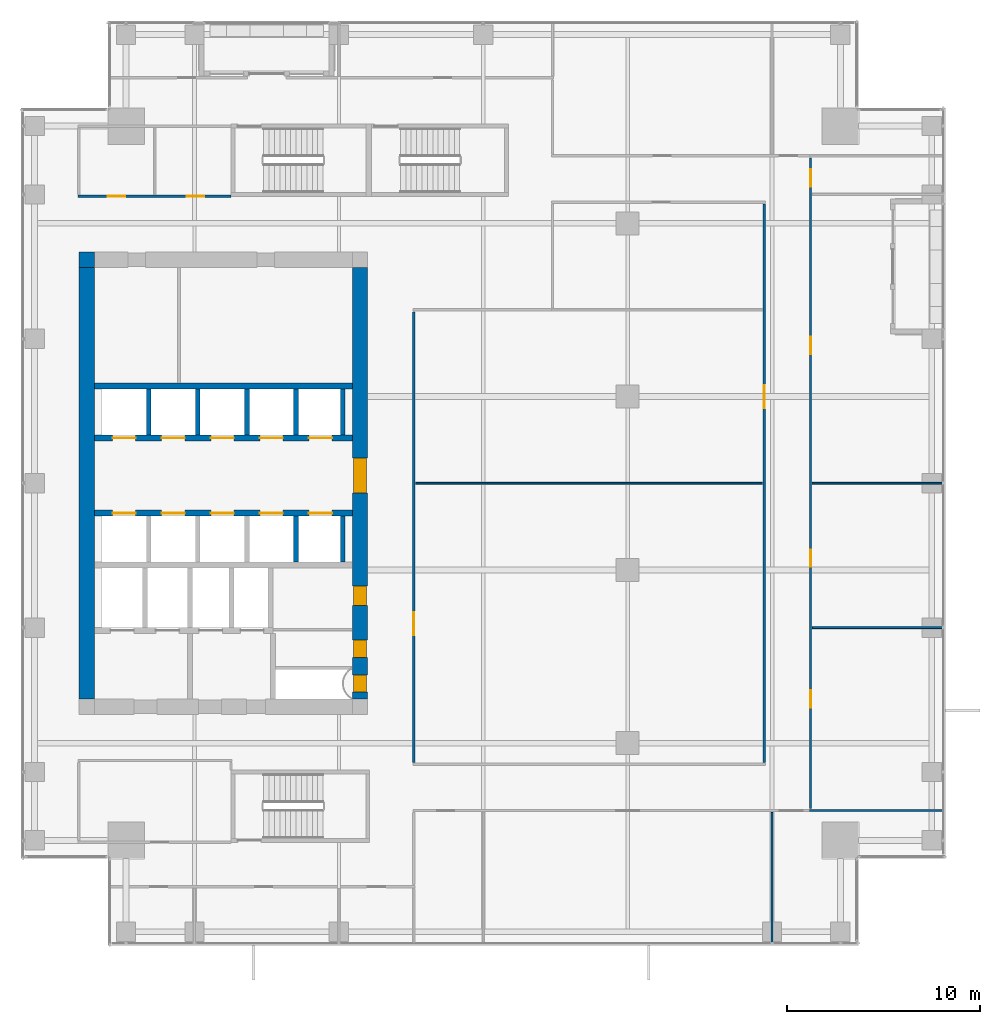
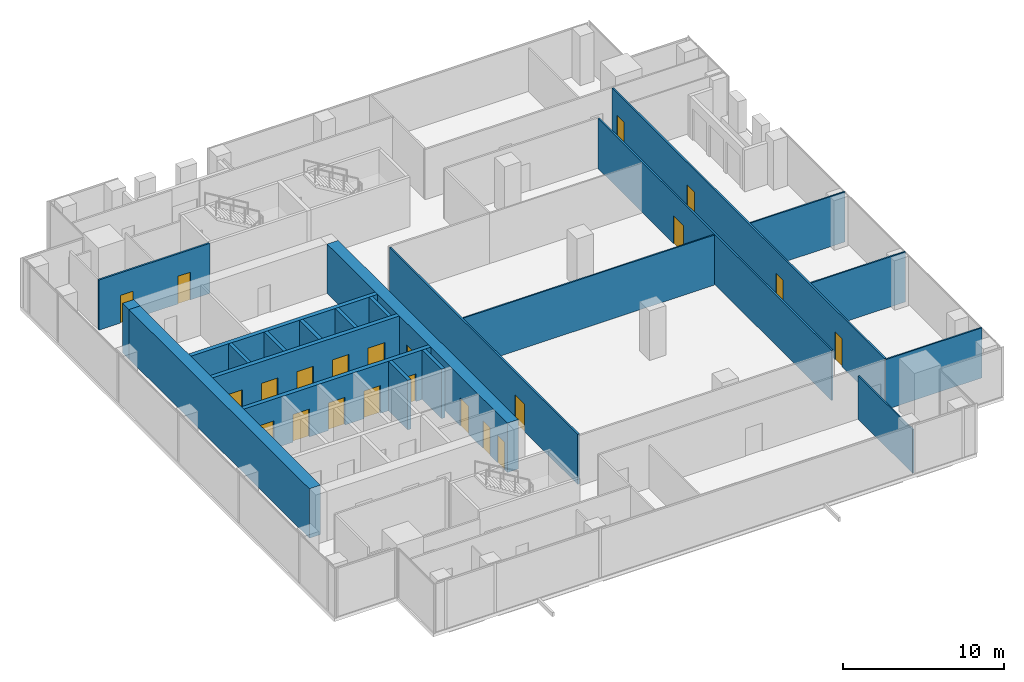
# One storey, part 35 of 40: 22 doors, 22 walls, 22 openings.
"""IFC4 building model written with IfcOpenShell, lengths in metres."""

from ifc_helpers import new_model, si_unit, direction, frame, frame_2d, origin, place, context, subcontext, project, spatial, rectangle, extrude, source, transform, mapped, material, layer, layer_set, type_object, element, fill, save


model = new_model("IFC4")

# Units and contexts
model_context = context("Model", 3, precision=1e-05, world=origin(), true_north=direction((0.0, 1.0)))
body_context = subcontext(model_context, "Body", "Model", "MODEL_VIEW")
ifc_project = project(units=[si_unit("LENGTHUNIT", "METRE"), si_unit("AREAUNIT", "SQUARE_METRE"), si_unit("VOLUMEUNIT", "CUBIC_METRE"), si_unit("PLANEANGLEUNIT", "RADIAN"), si_unit("MASSUNIT", "GRAM", prefix="KILO")], contexts=[model_context])

# Site, building, storey
site_placement = place(None, origin())
site = spatial("IfcSite", under=ifc_project, at=site_placement, CompositionType="ELEMENT")
building_placement = place(site_placement, origin())
building = spatial("IfcBuilding", under=site, at=building_placement, Name="Khomas Fold Tower", CompositionType="ELEMENT")
storey_placement = place(building_placement, frame((0.0, 0.0, 192.699951171875)))
storey = spatial("IfcBuildingStorey", under=building, at=storey_placement, Name="L42", CompositionType="ELEMENT", Elevation=192.699951171875)

# Wall
ifc_material_1 = material(Name="Concrete C60/75", Category="concrete")
ifc_layer_1 = layer(ifc_material_1, 0.800048828125)
ifc_layer_set_1 = layer_set([ifc_layer_1], Name="Concrete C60/75")
wall_type_1 = type_object("IfcWallType", Name="Core corner wall 800", PredefinedType="SHEAR", material=ifc_layer_set_1)
shared_shape_1 = source(origin(), body_context, "Body", "SweptSolid", [
    extrude(rectangle(XDim=0.800048828125, YDim=0.800048828125, at=frame_2d((0.39990234375, 0.0))), origin(), (0.0, 0.0, 1.0), 3.75),
])
wall_1_placement = place(storey_placement, frame((6.0, 38.60009765625, 0.0), z_axis=(0.0, 0.0, 1.0), x_axis=(1.0, 0.0, 0.0)))
element("IfcWall", 1, at=wall_1_placement, inside=storey, type_object=wall_type_1, Name="Core wall CW-U-NW-L35", PredefinedType="SHEAR", context=body_context, shape_type="MappedRepresentation", body=[
    mapped(shared_shape_1, transform((0.0, 0.0, 0.0))),
])

# Wall, openings, doors
ifc_material_2 = material(Name="Concrete C60/75", Category="concrete")
ifc_layer_2 = layer(ifc_material_2, 0.800048828125)
ifc_layer_set_2 = layer_set([ifc_layer_2], Name="Concrete C60/75")
wall_type_2 = type_object("IfcWallType", Name="Core wall 800", PredefinedType="SHEAR", material=ifc_layer_set_2)
shared_shape_2 = source(origin(), body_context, "Body", "SweptSolid", [
    extrude(rectangle(XDim=22.39990234375, YDim=0.800048828125, at=frame_2d((11.199951171875, 0.0))), origin(), (0.0, 0.0, 1.0), 3.75),
])
wall_2_placement = place(storey_placement, frame((20.60009765625, 15.800048828125, 0.0), z_axis=(0.0, 0.0, 1.0), x_axis=(0.0, 1.0, 0.0)))
wall_2 = element("IfcWall", 2, at=wall_2_placement, inside=storey, type_object=wall_type_2, Name="Core wall CW-U-E-L35", PredefinedType="SHEAR", context=body_context, shape_type="MappedRepresentation", body=[
    mapped(shared_shape_2, transform((0.0, 0.0, 0.0))),
])
shared_shape_3 = source(origin(), body_context, "Body", "SweptSolid", [
    extrude(rectangle(XDim=1.800048828125, YDim=2.10009765625, at=frame_2d((0.89990234375, 1.050048828125))), frame((0.0, 0.409912109375, 0.0), z_axis=(0.0, -1.0, 0.0), x_axis=(1.0, 0.0, 0.0)), (0.0, 0.0, 1.0), 0.820068359375),
])
opening_1_placement = place(wall_2_placement, frame((10.699951171875, 0.0, 0.0)))
opening_1 = element("IfcOpeningElement", 3, at=opening_1_placement, cuts=wall_2, Name="Opening 0015", PredefinedType="OPENING", context=body_context, shape_type="MappedRepresentation", body=[
    mapped(shared_shape_3, transform((0.0, 0.0, 0.0))),
])
shared_shape_4 = source(origin(), body_context, "Body", "SweptSolid", [
    extrude(rectangle(XDim=0.89990234375, YDim=2.10009765625, at=frame_2d((0.449951171875, 1.050048828125))), frame((0.0, 0.409912109375, 0.0), z_axis=(0.0, -1.0, 0.0), x_axis=(1.0, 0.0, 0.0)), (0.0, 0.0, 1.0), 0.820068359375),
])
opening_2_placement = place(wall_2_placement, frame((0.35009765625, 0.0, 0.0)))
opening_2 = element("IfcOpeningElement", 4, at=opening_2_placement, cuts=wall_2, Name="Opening 0003", PredefinedType="OPENING", context=body_context, shape_type="MappedRepresentation", body=[
    mapped(shared_shape_4, transform((0.0, 0.0, 0.0))),
])
opening_3_placement = place(wall_2_placement, frame((2.14990234375, 0.0, 0.0)))
opening_3 = element("IfcOpeningElement", 5, at=opening_3_placement, cuts=wall_2, Name="Opening 0008", PredefinedType="OPENING", context=body_context, shape_type="MappedRepresentation", body=[
    mapped(shared_shape_4, transform((0.0, 0.0, 0.0))),
])
shared_shape_5 = source(origin(), body_context, "Body", "SweptSolid", [
    extrude(rectangle(XDim=1.0, YDim=2.10009765625, at=frame_2d((0.5, 1.050048828125))), frame((0.0, 0.409912109375, 0.0), z_axis=(0.0, -1.0, 0.0), x_axis=(1.0, 0.0, 0.0)), (0.0, 0.0, 1.0), 0.820068359375),
])
opening_4_placement = place(wall_2_placement, frame((4.85009765625, 0.0, 0.0)))
opening_4 = element("IfcOpeningElement", 6, at=opening_4_placement, cuts=wall_2, Name="Opening 0006", PredefinedType="OPENING", context=body_context, shape_type="MappedRepresentation", body=[
    mapped(shared_shape_5, transform((0.0, 0.0, 0.0))),
])
ifc_material_3 = material(Name="Steel door leaf", Category="steel")
door_type_1 = type_object("IfcDoorType", Name="Lobby door 1800x2100", OperationType="DOUBLE_DOOR_SINGLE_SWING", PredefinedType="DOOR", material=ifc_material_3)
shared_shape_6 = source(origin(), body_context, "Body", "SweptSolid", [
    extrude(rectangle(XDim=1.800048828125, YDim=2.10009765625, at=frame_2d((0.89990234375, 1.050048828125))), frame((0.0, 0.35009765625, 0.0), z_axis=(0.0, -1.0, 0.0), x_axis=(1.0, 0.0, 0.0)), (0.0, 0.0, 1.0), 0.699951171875),
])
door_1_placement = place(opening_1_placement, origin())
door_1 = element("IfcDoor", 7, at=door_1_placement, inside=storey, type_object=door_type_1, Name="Lobby door", OperationType="DOUBLE_DOOR_SINGLE_SWING", OverallHeight=2.10009765625, OverallWidth=1.800048828125, PredefinedType="DOOR", context=body_context, shape_type="MappedRepresentation", body=[
    mapped(shared_shape_6, transform((0.0, 0.0, 0.0))),
])
fill(opening_1, door_1)
ifc_material_4 = material(Name="Steel door leaf", Category="steel")
door_type_2 = type_object("IfcDoorType", Name="Plant room door 900x2100 right-hand", OperationType="SINGLE_SWING_RIGHT", PredefinedType="DOOR", material=ifc_material_4)
shared_shape_7 = source(origin(), body_context, "Body", "SweptSolid", [
    extrude(rectangle(XDim=0.89990234375, YDim=2.10009765625, at=frame_2d((0.449951171875, 1.050048828125))), frame((0.0, 0.35009765625, 0.0), z_axis=(0.0, -1.0, 0.0), x_axis=(1.0, 0.0, 0.0)), (0.0, 0.0, 1.0), 0.699951171875),
])
door_2_placement = place(opening_2_placement, origin())
door_2 = element("IfcDoor", 8, at=door_2_placement, inside=storey, type_object=door_type_2, Name="Plant room door", OperationType="SINGLE_SWING_RIGHT", OverallHeight=2.10009765625, OverallWidth=0.89990234375, PredefinedType="DOOR", context=body_context, shape_type="MappedRepresentation", body=[
    mapped(shared_shape_7, transform((0.0, 0.0, 0.0))),
])
fill(opening_2, door_2)
ifc_material_5 = material(Name="Timber door leaf", Category="wood")
door_type_3 = type_object("IfcDoorType", Name="Door 900x2100 right-hand", OperationType="SINGLE_SWING_RIGHT", PredefinedType="DOOR", material=ifc_material_5)
door_3_placement = place(opening_3_placement, origin())
door_3 = element("IfcDoor", 9, at=door_3_placement, inside=storey, type_object=door_type_3, Name="Door", OperationType="SINGLE_SWING_RIGHT", OverallHeight=2.10009765625, OverallWidth=0.89990234375, PredefinedType="DOOR", context=body_context, shape_type="MappedRepresentation", body=[
    mapped(shared_shape_7, transform((0.0, 0.0, 0.0))),
])
fill(opening_3, door_3)
ifc_material_6 = material(Name="Timber door leaf", Category="wood")
door_type_4 = type_object("IfcDoorType", Name="WC door 1000x2100 right-hand", OperationType="SINGLE_SWING_RIGHT", PredefinedType="DOOR", material=ifc_material_6)
shared_shape_8 = source(origin(), body_context, "Body", "SweptSolid", [
    extrude(rectangle(XDim=1.0, YDim=2.10009765625, at=frame_2d((0.5, 1.050048828125))), frame((0.0, 0.35009765625, 0.0), z_axis=(0.0, -1.0, 0.0), x_axis=(1.0, 0.0, 0.0)), (0.0, 0.0, 1.0), 0.699951171875),
])
door_4_placement = place(opening_4_placement, origin())
door_4 = element("IfcDoor", 10, at=door_4_placement, inside=storey, type_object=door_type_4, Name="WC door", OperationType="SINGLE_SWING_RIGHT", OverallHeight=2.10009765625, OverallWidth=1.0, PredefinedType="DOOR", context=body_context, shape_type="MappedRepresentation", body=[
    mapped(shared_shape_8, transform((0.0, 0.0, 0.0))),
])
fill(opening_4, door_4)

# Walls
wall_3_placement = place(storey_placement, frame((6.39990234375, 15.800048828125, 0.0), z_axis=(0.0, 0.0, 1.0), x_axis=(0.0, 1.0, 0.0)))
element("IfcWall", 11, at=wall_3_placement, inside=storey, type_object=wall_type_2, Name="Core wall CW-U-W-L35", PredefinedType="SHEAR", context=body_context, shape_type="MappedRepresentation", body=[
    mapped(shared_shape_2, transform((0.0, 0.0, 0.0))),
])
ifc_material_7 = material(Name="Concrete C50/60", Category="concrete")
ifc_layer_3 = layer(ifc_material_7, 0.300048828125)
ifc_layer_set_3 = layer_set([ifc_layer_3], Name="Concrete C50/60")
wall_type_3 = type_object("IfcWallType", Name="Shaft wall 300", PredefinedType="STANDARD", material=ifc_layer_set_3)
shared_shape_9 = source(origin(), body_context, "Body", "SweptSolid", [
    extrude(rectangle(XDim=13.39990234375, YDim=0.300048828125, at=frame_2d((6.699951171875, 0.0))), origin(), (0.0, 0.0, 1.0), 3.75),
])
wall_4_placement = place(storey_placement, frame((6.800048828125, 32.050048828125, 0.0), z_axis=(0.0, 0.0, 1.0), x_axis=(1.0, 0.0, 0.0)))
element("IfcWall", 12, at=wall_4_placement, inside=storey, type_object=wall_type_3, Name="Core wall SW-HRN-B", PredefinedType="STANDARD", context=body_context, shape_type="MappedRepresentation", body=[
    mapped(shared_shape_9, transform((0.0, 0.0, 0.0))),
])

# Wall, openings, doors
wall_5_placement = place(storey_placement, frame((6.800048828125, 29.35009765625, 0.0), z_axis=(0.0, 0.0, 1.0), x_axis=(1.0, 0.0, 0.0)))
wall_5 = element("IfcWall", 13, at=wall_5_placement, inside=storey, type_object=wall_type_3, Name="Core wall SW-HRN-F", PredefinedType="STANDARD", context=body_context, shape_type="MappedRepresentation", body=[
    mapped(shared_shape_9, transform((0.0, 0.0, 0.0))),
])
shared_shape_10 = source(origin(), body_context, "Body", "SweptSolid", [
    extrude(rectangle(XDim=1.199951171875, YDim=2.10009765625, at=frame_2d((0.60009765625, 1.050048828125))), frame((0.0, 0.159912109375, 0.0), z_axis=(0.0, -1.0, 0.0), x_axis=(1.0, 0.0, 0.0)), (0.0, 0.0, 1.0), 0.320068359375),
])
opening_5_placement = place(wall_5_placement, frame((0.949951171875, 0.0, 0.0)))
opening_5 = element("IfcOpeningElement", 14, at=opening_5_placement, cuts=wall_5, Name="Opening LD-HR4", PredefinedType="OPENING", context=body_context, shape_type="MappedRepresentation", body=[
    mapped(shared_shape_10, transform((0.0, 0.0, 0.0))),
])
opening_6_placement = place(wall_5_placement, frame((3.5, 0.0, 0.0)))
opening_6 = element("IfcOpeningElement", 15, at=opening_6_placement, cuts=wall_5, Name="Opening LD-HR5", PredefinedType="OPENING", context=body_context, shape_type="MappedRepresentation", body=[
    mapped(shared_shape_10, transform((0.0, 0.0, 0.0))),
])
opening_7_placement = place(wall_5_placement, frame((6.050048828125, 0.0, 0.0)))
opening_7 = element("IfcOpeningElement", 16, at=opening_7_placement, cuts=wall_5, Name="Opening LD-HR6", PredefinedType="OPENING", context=body_context, shape_type="MappedRepresentation", body=[
    mapped(shared_shape_10, transform((0.0, 0.0, 0.0))),
])
opening_8_placement = place(wall_5_placement, frame((8.60009765625, 0.0, 0.0)))
opening_8 = element("IfcOpeningElement", 17, at=opening_8_placement, cuts=wall_5, Name="Opening LD-MR3", PredefinedType="OPENING", context=body_context, shape_type="MappedRepresentation", body=[
    mapped(shared_shape_10, transform((0.0, 0.0, 0.0))),
])
opening_9_placement = place(wall_5_placement, frame((11.14990234375, 0.0, 0.0)))
opening_9 = element("IfcOpeningElement", 18, at=opening_9_placement, cuts=wall_5, Name="Opening LD-MR4", PredefinedType="OPENING", context=body_context, shape_type="MappedRepresentation", body=[
    mapped(shared_shape_10, transform((0.0, 0.0, 0.0))),
])
ifc_material_8 = material(Name="Steel door leaf", Category="steel")
door_type_5 = type_object("IfcDoorType", Name="Landing door 1200x2100", OperationType="DOUBLE_DOOR_SLIDING", PredefinedType="DOOR", material=ifc_material_8)
shared_shape_11 = source(origin(), body_context, "Body", "SweptSolid", [
    extrude(rectangle(XDim=1.199951171875, YDim=2.10009765625, at=frame_2d((0.60009765625, 1.050048828125))), frame((0.0, 0.02490234375, 0.0), z_axis=(0.0, -1.0, 0.0), x_axis=(1.0, 0.0, 0.0)), (0.0, 0.0, 1.0), 0.050048828125),
])
door_5_placement = place(opening_5_placement, origin())
door_5 = element("IfcDoor", 19, at=door_5_placement, inside=storey, type_object=door_type_5, Name="Lift landing door", OperationType="DOUBLE_DOOR_SLIDING", OverallHeight=2.10009765625, OverallWidth=1.199951171875, PredefinedType="DOOR", context=body_context, shape_type="MappedRepresentation", body=[
    mapped(shared_shape_11, transform((0.0, 0.0, 0.0))),
])
fill(opening_5, door_5)
door_6_placement = place(opening_6_placement, origin())
door_6 = element("IfcDoor", 20, at=door_6_placement, inside=storey, type_object=door_type_5, Name="Lift landing door", OperationType="DOUBLE_DOOR_SLIDING", OverallHeight=2.10009765625, OverallWidth=1.199951171875, PredefinedType="DOOR", context=body_context, shape_type="MappedRepresentation", body=[
    mapped(shared_shape_11, transform((0.0, 0.0, 0.0))),
])
fill(opening_6, door_6)
door_7_placement = place(opening_7_placement, origin())
door_7 = element("IfcDoor", 21, at=door_7_placement, inside=storey, type_object=door_type_5, Name="Lift landing door", OperationType="DOUBLE_DOOR_SLIDING", OverallHeight=2.10009765625, OverallWidth=1.199951171875, PredefinedType="DOOR", context=body_context, shape_type="MappedRepresentation", body=[
    mapped(shared_shape_11, transform((0.0, 0.0, 0.0))),
])
fill(opening_7, door_7)
door_8_placement = place(opening_8_placement, origin())
door_8 = element("IfcDoor", 22, at=door_8_placement, inside=storey, type_object=door_type_5, Name="Lift landing door", OperationType="DOUBLE_DOOR_SLIDING", OverallHeight=2.10009765625, OverallWidth=1.199951171875, PredefinedType="DOOR", context=body_context, shape_type="MappedRepresentation", body=[
    mapped(shared_shape_11, transform((0.0, 0.0, 0.0))),
])
fill(opening_8, door_8)
door_9_placement = place(opening_9_placement, origin())
door_9 = element("IfcDoor", 23, at=door_9_placement, inside=storey, type_object=door_type_5, Name="Lift landing door", OperationType="DOUBLE_DOOR_SLIDING", OverallHeight=2.10009765625, OverallWidth=1.199951171875, PredefinedType="DOOR", context=body_context, shape_type="MappedRepresentation", body=[
    mapped(shared_shape_11, transform((0.0, 0.0, 0.0))),
])
fill(opening_9, door_9)

wall_6_placement = place(storey_placement, frame((6.800048828125, 25.449951171875, 0.0), z_axis=(0.0, 0.0, 1.0), x_axis=(1.0, 0.0, 0.0)))
wall_6 = element("IfcWall", 24, at=wall_6_placement, inside=storey, type_object=wall_type_3, Name="Core wall SW-HRS-F", PredefinedType="STANDARD", context=body_context, shape_type="MappedRepresentation", body=[
    mapped(shared_shape_9, transform((0.0, 0.0, 0.0))),
])
opening_10_placement = place(wall_6_placement, frame((0.949951171875, 0.0, 0.0)))
opening_10 = element("IfcOpeningElement", 25, at=opening_10_placement, cuts=wall_6, Name="Opening LD-HR1", PredefinedType="OPENING", context=body_context, shape_type="MappedRepresentation", body=[
    mapped(shared_shape_10, transform((0.0, 0.0, 0.0))),
])
opening_11_placement = place(wall_6_placement, frame((3.5, 0.0, 0.0)))
opening_11 = element("IfcOpeningElement", 26, at=opening_11_placement, cuts=wall_6, Name="Opening LD-HR2", PredefinedType="OPENING", context=body_context, shape_type="MappedRepresentation", body=[
    mapped(shared_shape_10, transform((0.0, 0.0, 0.0))),
])
opening_12_placement = place(wall_6_placement, frame((6.050048828125, 0.0, 0.0)))
opening_12 = element("IfcOpeningElement", 27, at=opening_12_placement, cuts=wall_6, Name="Opening LD-HR3", PredefinedType="OPENING", context=body_context, shape_type="MappedRepresentation", body=[
    mapped(shared_shape_10, transform((0.0, 0.0, 0.0))),
])
opening_13_placement = place(wall_6_placement, frame((8.60009765625, 0.0, 0.0)))
opening_13 = element("IfcOpeningElement", 28, at=opening_13_placement, cuts=wall_6, Name="Opening LD-MR1", PredefinedType="OPENING", context=body_context, shape_type="MappedRepresentation", body=[
    mapped(shared_shape_10, transform((0.0, 0.0, 0.0))),
])
opening_14_placement = place(wall_6_placement, frame((11.14990234375, 0.0, 0.0)))
opening_14 = element("IfcOpeningElement", 29, at=opening_14_placement, cuts=wall_6, Name="Opening LD-MR2", PredefinedType="OPENING", context=body_context, shape_type="MappedRepresentation", body=[
    mapped(shared_shape_10, transform((0.0, 0.0, 0.0))),
])
door_10_placement = place(opening_10_placement, origin())
door_10 = element("IfcDoor", 30, at=door_10_placement, inside=storey, type_object=door_type_5, Name="Lift landing door", OperationType="DOUBLE_DOOR_SLIDING", OverallHeight=2.10009765625, OverallWidth=1.199951171875, PredefinedType="DOOR", context=body_context, shape_type="MappedRepresentation", body=[
    mapped(shared_shape_11, transform((0.0, 0.0, 0.0))),
])
fill(opening_10, door_10)
door_11_placement = place(opening_11_placement, origin())
door_11 = element("IfcDoor", 31, at=door_11_placement, inside=storey, type_object=door_type_5, Name="Lift landing door", OperationType="DOUBLE_DOOR_SLIDING", OverallHeight=2.10009765625, OverallWidth=1.199951171875, PredefinedType="DOOR", context=body_context, shape_type="MappedRepresentation", body=[
    mapped(shared_shape_11, transform((0.0, 0.0, 0.0))),
])
fill(opening_11, door_11)
door_12_placement = place(opening_12_placement, origin())
door_12 = element("IfcDoor", 32, at=door_12_placement, inside=storey, type_object=door_type_5, Name="Lift landing door", OperationType="DOUBLE_DOOR_SLIDING", OverallHeight=2.10009765625, OverallWidth=1.199951171875, PredefinedType="DOOR", context=body_context, shape_type="MappedRepresentation", body=[
    mapped(shared_shape_11, transform((0.0, 0.0, 0.0))),
])
fill(opening_12, door_12)
door_13_placement = place(opening_13_placement, origin())
door_13 = element("IfcDoor", 33, at=door_13_placement, inside=storey, type_object=door_type_5, Name="Lift landing door", OperationType="DOUBLE_DOOR_SLIDING", OverallHeight=2.10009765625, OverallWidth=1.199951171875, PredefinedType="DOOR", context=body_context, shape_type="MappedRepresentation", body=[
    mapped(shared_shape_11, transform((0.0, 0.0, 0.0))),
])
fill(opening_13, door_13)
door_14_placement = place(opening_14_placement, origin())
door_14 = element("IfcDoor", 34, at=door_14_placement, inside=storey, type_object=door_type_5, Name="Lift landing door", OperationType="DOUBLE_DOOR_SLIDING", OverallHeight=2.10009765625, OverallWidth=1.199951171875, PredefinedType="DOOR", context=body_context, shape_type="MappedRepresentation", body=[
    mapped(shared_shape_11, transform((0.0, 0.0, 0.0))),
])
fill(opening_14, door_14)

# Walls
ifc_material_9 = material(Name="Concrete C50/60", Category="concrete")
ifc_layer_4 = layer(ifc_material_9, 0.25)
ifc_layer_set_4 = layer_set([ifc_layer_4], Name="Concrete C50/60")
wall_type_4 = type_object("IfcWallType", Name="Shaft wall 250", PredefinedType="STANDARD", material=ifc_layer_set_4)
shared_shape_12 = source(origin(), body_context, "Body", "SweptSolid", [
    extrude(rectangle(XDim=2.39990234375, YDim=0.25, at=frame_2d((1.199951171875, 0.0))), origin(), (0.0, 0.0, 1.0), 3.75),
])
for number, where, z_axis, x_axis, name in (
    (35, (17.27490234375, 29.5, 0.0), (0.0, 0.0, 1.0), (0.0, 1.0, 0.0), "Core wall SW-HRN-MR-P1"),
    (36, (19.699951171875, 29.5, 0.0), (0.0, 0.0, 1.0), (0.0, 1.0, 0.0), "Core wall SW-HRN-MR-PE"),
    (37, (9.625, 29.5, 0.0), (0.0, 0.0, 1.0), (0.0, 1.0, 0.0), "Core wall SW-HRN-P1"),
    (38, (12.175048828125, 29.5, 0.0), (0.0, 0.0, 1.0), (0.0, 1.0, 0.0), "Core wall SW-HRN-P2"),
    (39, (14.72509765625, 29.5, 0.0), (0.0, 0.0, 1.0), (0.0, 1.0, 0.0), "Core wall SW-HRN-PE"),
):
    element("IfcWall", number, at=place(storey_placement, frame(where, z_axis=z_axis, x_axis=x_axis)), inside=storey, type_object=wall_type_4, Name=name, PredefinedType="STANDARD", context=body_context, shape_type="MappedRepresentation", body=[
        mapped(shared_shape_12, transform((0.0, 0.0, 0.0))),
    ])
shared_shape_13 = source(origin(), body_context, "Body", "SweptSolid", [
    extrude(rectangle(XDim=2.400146484375, YDim=0.25, at=frame_2d((1.2001953125, 0.0))), origin(), (0.0, 0.0, 1.0), 3.75),
])
for number, where, z_axis, x_axis, name in (
    (40, (17.27490234375, 22.89990234375, 0.0), (0.0, 0.0, 1.0), (0.0, 1.0, 0.0), "Core wall SW-HRS-MR-P1"),
    (41, (19.699951171875, 22.89990234375, 0.0), (0.0, 0.0, 1.0), (0.0, 1.0, 0.0), "Core wall SW-HRS-MR-PE"),
):
    element("IfcWall", number, at=place(storey_placement, frame(where, z_axis=z_axis, x_axis=x_axis)), inside=storey, type_object=wall_type_4, Name=name, PredefinedType="STANDARD", context=body_context, shape_type="MappedRepresentation", body=[
        mapped(shared_shape_13, transform((0.0, 0.0, 0.0))),
    ])
ifc_material_10 = material(Name="Plasterboard partition")
ifc_layer_5 = layer(ifc_material_10, 0.10009765625)
ifc_layer_set_5 = layer_set([ifc_layer_5], Name="Plasterboard partition")
wall_type_5 = type_object("IfcWallType", Name="Partition PW1 100", PredefinedType="PARTITIONING", material=ifc_layer_set_5)
shared_shape_14 = source(origin(), body_context, "Body", "SweptSolid", [
    extrude(rectangle(XDim=18.0, YDim=0.10009765625, at=frame_2d((9.0, 0.0))), origin(), (0.0, 0.0, 1.0), 3.800048828125),
])
wall_7_placement = place(storey_placement, frame((23.5, 27.0, 0.0), z_axis=(0.0, 0.0, 1.0), x_axis=(1.0, 0.0, 0.0)))
element("IfcWall", 42, at=wall_7_placement, inside=storey, type_object=wall_type_5, Name="Partition", PredefinedType="PARTITIONING", context=body_context, shape_type="MappedRepresentation", body=[
    mapped(shared_shape_14, transform((0.0, 0.0, 0.0))),
])

# Wall, openings, doors
ifc_material_11 = material(Name="Plasterboard partition")
ifc_layer_6 = layer(ifc_material_11, 0.125)
ifc_layer_set_6 = layer_set([ifc_layer_6], Name="Plasterboard partition")
wall_type_6 = type_object("IfcWallType", Name="Partition PW2 125", PredefinedType="PARTITIONING", material=ifc_layer_set_6)
shared_shape_15 = source(origin(), body_context, "Body", "SweptSolid", [
    extrude(rectangle(XDim=7.949951171875, YDim=0.125, at=frame_2d((3.97509765625, 0.0))), origin(), (0.0, 0.0, 1.0), 3.800048828125),
])
wall_8_placement = place(storey_placement, frame((5.949951171875, 41.89990234375, 0.0), z_axis=(0.0, 0.0, 1.0), x_axis=(1.0, 0.0, 0.0)))
wall_8 = element("IfcWall", 43, at=wall_8_placement, inside=storey, type_object=wall_type_6, Name="Partition", PredefinedType="PARTITIONING", context=body_context, shape_type="MappedRepresentation", body=[
    mapped(shared_shape_15, transform((0.0, 0.0, 0.0))),
])
shared_shape_16 = source(origin(), body_context, "Body", "SweptSolid", [
    extrude(rectangle(XDim=0.89990234375, YDim=2.10009765625, at=frame_2d((0.449951171875, 1.050048828125))), frame((0.0, 0.072509765625, 0.0), z_axis=(0.0, -1.0, 0.0), x_axis=(1.0, 0.0, 0.0)), (0.0, 0.0, 1.0), 0.14501953125),
])
opening_15_placement = place(wall_8_placement, frame((1.550048828125, 0.0, 0.0)))
opening_15 = element("IfcOpeningElement", 44, at=opening_15_placement, cuts=wall_8, Name="Opening 0004", PredefinedType="OPENING", context=body_context, shape_type="MappedRepresentation", body=[
    mapped(shared_shape_16, transform((0.0, 0.0, 0.0))),
])
opening_16_placement = place(wall_8_placement, frame((5.64990234375, 0.0, 0.0)))
opening_16 = element("IfcOpeningElement", 45, at=opening_16_placement, cuts=wall_8, Name="Opening 0005", PredefinedType="OPENING", context=body_context, shape_type="MappedRepresentation", body=[
    mapped(shared_shape_16, transform((0.0, 0.0, 0.0))),
])
ifc_material_12 = material(Name="Timber door leaf", Category="wood")
door_type_6 = type_object("IfcDoorType", Name="WC door 900x2100 right-hand", OperationType="SINGLE_SWING_RIGHT", PredefinedType="DOOR", material=ifc_material_12)
shared_shape_17 = source(origin(), body_context, "Body", "SweptSolid", [
    extrude(rectangle(XDim=0.89990234375, YDim=2.10009765625, at=frame_2d((0.449951171875, 1.050048828125))), frame((0.0, 0.02490234375, 0.0), z_axis=(0.0, -1.0, 0.0), x_axis=(1.0, 0.0, 0.0)), (0.0, 0.0, 1.0), 0.050048828125),
])
door_15_placement = place(opening_15_placement, origin())
door_15 = element("IfcDoor", 46, at=door_15_placement, inside=storey, type_object=door_type_6, Name="WC door", OperationType="SINGLE_SWING_RIGHT", OverallHeight=2.10009765625, OverallWidth=0.89990234375, PredefinedType="DOOR", context=body_context, shape_type="MappedRepresentation", body=[
    mapped(shared_shape_17, transform((0.0, 0.0, 0.0))),
])
fill(opening_15, door_15)
ifc_material_13 = material(Name="Timber door leaf", Category="wood")
door_type_7 = type_object("IfcDoorType", Name="WC door 900x2100 left-hand", OperationType="SINGLE_SWING_LEFT", PredefinedType="DOOR", material=ifc_material_13)
door_16_placement = place(opening_16_placement, origin())
door_16 = element("IfcDoor", 47, at=door_16_placement, inside=storey, type_object=door_type_7, Name="WC door", OperationType="SINGLE_SWING_LEFT", OverallHeight=2.10009765625, OverallWidth=0.89990234375, PredefinedType="DOOR", context=body_context, shape_type="MappedRepresentation", body=[
    mapped(shared_shape_17, transform((0.0, 0.0, 0.0))),
])
fill(opening_16, door_16)

# Walls
shared_shape_18 = source(origin(), body_context, "Body", "SweptSolid", [
    extrude(rectangle(XDim=6.75, YDim=0.10009765625, at=frame_2d((3.375, 0.0))), origin(), (0.0, 0.0, 1.0), 3.800048828125),
])
for number, where, z_axis, x_axis, name in (
    (48, (44.10009765625, 19.5, 0.0), (0.0, 0.0, 1.0), (1.0, 0.0, 0.0), "Partition"),
    (49, (44.10009765625, 27.0, 0.0), (0.0, 0.0, 1.0), (1.0, 0.0, 0.0), "Partition"),
):
    element("IfcWall", number, at=place(storey_placement, frame(where, z_axis=z_axis, x_axis=x_axis)), inside=storey, type_object=wall_type_5, Name=name, PredefinedType="PARTITIONING", context=body_context, shape_type="MappedRepresentation", body=[
        mapped(shared_shape_18, transform((0.0, 0.0, 0.0))),
    ])
shared_shape_19 = source(origin(), body_context, "Body", "SweptSolid", [
    extrude(rectangle(XDim=6.75, YDim=0.10009765625, at=frame_2d((3.375, 0.0))), origin(), (0.0, 0.0, 1.0), 3.300048828125),
])
wall_9_placement = place(storey_placement, frame((42.0, 3.14990234375, 0.0), z_axis=(0.0, 0.0, 1.0), x_axis=(0.0, 1.0, 0.0)))
element("IfcWall", 50, at=wall_9_placement, inside=storey, type_object=wall_type_5, Name="Partition", PredefinedType="PARTITIONING", context=body_context, shape_type="MappedRepresentation", body=[
    mapped(shared_shape_19, transform((0.0, 0.0, 0.0))),
])
shared_shape_20 = source(origin(), body_context, "Body", "SweptSolid", [
    extrude(rectangle(XDim=6.900146484375, YDim=0.10009765625, at=frame_2d((3.4501953125, 0.0))), origin(), (0.0, 0.0, 1.0), 3.800048828125),
])
wall_10_placement = place(storey_placement, frame((43.949951171875, 10.0, 0.0), z_axis=(0.0, 0.0, 1.0), x_axis=(1.0, 0.0, 0.0)))
element("IfcWall", 51, at=wall_10_placement, inside=storey, type_object=wall_type_5, Name="Partition", PredefinedType="PARTITIONING", context=body_context, shape_type="MappedRepresentation", body=[
    mapped(shared_shape_20, transform((0.0, 0.0, 0.0))),
])

# Wall, openings, doors
shared_shape_21 = source(origin(), body_context, "Body", "SweptSolid", [
    extrude(rectangle(XDim=33.7998046875, YDim=0.125, at=frame_2d((16.89990234375, 0.0))), origin(), (0.0, 0.0, 1.0), 3.800048828125),
])
wall_11_placement = place(storey_placement, frame((44.0, 10.10009765625, 0.0), z_axis=(0.0, 0.0, 1.0), x_axis=(0.0, 1.0, 0.0)))
wall_11 = element("IfcWall", 52, at=wall_11_placement, inside=storey, type_object=wall_type_6, Name="Partition", PredefinedType="PARTITIONING", context=body_context, shape_type="MappedRepresentation", body=[
    mapped(shared_shape_21, transform((0.0, 0.0, 0.0))),
])
opening_17_placement = place(wall_11_placement, frame((5.25, 0.0, 0.0)))
opening_17 = element("IfcOpeningElement", 53, at=opening_17_placement, cuts=wall_11, Name="Opening 0007", PredefinedType="OPENING", context=body_context, shape_type="MappedRepresentation", body=[
    mapped(shared_shape_16, transform((0.0, 0.0, 0.0))),
])
opening_18_placement = place(wall_11_placement, frame((12.550048828125, 0.0, 0.0)))
opening_18 = element("IfcOpeningElement", 54, at=opening_18_placement, cuts=wall_11, Name="Opening 0007", PredefinedType="OPENING", context=body_context, shape_type="MappedRepresentation", body=[
    mapped(shared_shape_16, transform((0.0, 0.0, 0.0))),
])
opening_19_placement = place(wall_11_placement, frame((23.60009765625, 0.0, 0.0)))
opening_19 = element("IfcOpeningElement", 55, at=opening_19_placement, cuts=wall_11, Name="Opening 0007", PredefinedType="OPENING", context=body_context, shape_type="MappedRepresentation", body=[
    mapped(shared_shape_16, transform((0.0, 0.0, 0.0))),
])
opening_20_placement = place(wall_11_placement, frame((32.300048828125, 0.0, 0.0)))
opening_20 = element("IfcOpeningElement", 56, at=opening_20_placement, cuts=wall_11, Name="Opening 0007", PredefinedType="OPENING", context=body_context, shape_type="MappedRepresentation", body=[
    mapped(shared_shape_16, transform((0.0, 0.0, 0.0))),
])
ifc_material_14 = material(Name="Timber door leaf", Category="wood")
door_type_8 = type_object("IfcDoorType", Name="Door 900x2100 left-hand", OperationType="SINGLE_SWING_LEFT", PredefinedType="DOOR", material=ifc_material_14)
door_17_placement = place(opening_17_placement, origin())
door_17 = element("IfcDoor", 57, at=door_17_placement, inside=storey, type_object=door_type_8, Name="Door", OperationType="SINGLE_SWING_LEFT", OverallHeight=2.10009765625, OverallWidth=0.89990234375, PredefinedType="DOOR", context=body_context, shape_type="MappedRepresentation", body=[
    mapped(shared_shape_17, transform((0.0, 0.0, 0.0))),
])
fill(opening_17, door_17)
door_18_placement = place(opening_18_placement, origin())
door_18 = element("IfcDoor", 58, at=door_18_placement, inside=storey, type_object=door_type_8, Name="Door", OperationType="SINGLE_SWING_LEFT", OverallHeight=2.10009765625, OverallWidth=0.89990234375, PredefinedType="DOOR", context=body_context, shape_type="MappedRepresentation", body=[
    mapped(shared_shape_17, transform((0.0, 0.0, 0.0))),
])
fill(opening_18, door_18)
door_19_placement = place(opening_19_placement, origin())
door_19 = element("IfcDoor", 59, at=door_19_placement, inside=storey, type_object=door_type_8, Name="Door", OperationType="SINGLE_SWING_LEFT", OverallHeight=2.10009765625, OverallWidth=0.89990234375, PredefinedType="DOOR", context=body_context, shape_type="MappedRepresentation", body=[
    mapped(shared_shape_17, transform((0.0, 0.0, 0.0))),
])
fill(opening_19, door_19)
door_20_placement = place(opening_20_placement, origin())
door_20 = element("IfcDoor", 60, at=door_20_placement, inside=storey, type_object=door_type_8, Name="Door", OperationType="SINGLE_SWING_LEFT", OverallHeight=2.10009765625, OverallWidth=0.89990234375, PredefinedType="DOOR", context=body_context, shape_type="MappedRepresentation", body=[
    mapped(shared_shape_17, transform((0.0, 0.0, 0.0))),
])
fill(opening_20, door_20)

# Wall, opening, door
shared_shape_22 = source(origin(), body_context, "Body", "SweptSolid", [
    extrude(rectangle(XDim=23.39990234375, YDim=0.125, at=frame_2d((11.699951171875, 0.0))), origin(), (0.0, 0.0, 1.0), 3.800048828125),
])
wall_12_placement = place(storey_placement, frame((23.39990234375, 12.5, 0.0), z_axis=(0.0, 0.0, 1.0), x_axis=(0.0, 1.0, 0.0)))
wall_12 = element("IfcWall", 61, at=wall_12_placement, inside=storey, type_object=wall_type_6, Name="Partition", PredefinedType="PARTITIONING", context=body_context, shape_type="MappedRepresentation", body=[
    mapped(shared_shape_22, transform((0.0, 0.0, 0.0))),
])
shared_shape_23 = source(origin(), body_context, "Body", "SweptSolid", [
    extrude(rectangle(XDim=1.199951171875, YDim=2.10009765625, at=frame_2d((0.60009765625, 1.050048828125))), frame((0.0, 0.072509765625, 0.0), z_axis=(0.0, -1.0, 0.0), x_axis=(1.0, 0.0, 0.0)), (0.0, 0.0, 1.0), 0.14501953125),
])
opening_21_placement = place(wall_12_placement, frame((6.60009765625, 0.0, 0.0)))
opening_21 = element("IfcOpeningElement", 62, at=opening_21_placement, cuts=wall_12, Name="Opening 0013", PredefinedType="OPENING", context=body_context, shape_type="MappedRepresentation", body=[
    mapped(shared_shape_23, transform((0.0, 0.0, 0.0))),
])
ifc_material_15 = material(Name="Timber door leaf", Category="wood")
door_type_9 = type_object("IfcDoorType", Name="Door 1200x2100 left-hand", OperationType="SINGLE_SWING_LEFT", PredefinedType="DOOR", material=ifc_material_15)
door_21_placement = place(opening_21_placement, origin())
door_21 = element("IfcDoor", 63, at=door_21_placement, inside=storey, type_object=door_type_9, Name="Door", OperationType="SINGLE_SWING_LEFT", OverallHeight=2.10009765625, OverallWidth=1.199951171875, PredefinedType="DOOR", context=body_context, shape_type="MappedRepresentation", body=[
    mapped(shared_shape_11, transform((0.0, 0.0, 0.0))),
])
fill(opening_21, door_21)

shared_shape_24 = source(origin(), body_context, "Body", "SweptSolid", [
    extrude(rectangle(XDim=29.0, YDim=0.125, at=frame_2d((14.5, 0.0))), origin(), (0.0, 0.0, 1.0), 3.800048828125),
])
wall_13_placement = place(storey_placement, frame((41.60009765625, 12.5, 0.0), z_axis=(0.0, 0.0, 1.0), x_axis=(0.0, 1.0, 0.0)))
wall_13 = element("IfcWall", 64, at=wall_13_placement, inside=storey, type_object=wall_type_6, Name="Partition", PredefinedType="PARTITIONING", context=body_context, shape_type="MappedRepresentation", body=[
    mapped(shared_shape_24, transform((0.0, 0.0, 0.0))),
])
opening_22_placement = place(wall_13_placement, frame((18.39990234375, 0.0, 0.0)))
opening_22 = element("IfcOpeningElement", 65, at=opening_22_placement, cuts=wall_13, Name="Opening 0001", PredefinedType="OPENING", context=body_context, shape_type="MappedRepresentation", body=[
    mapped(shared_shape_23, transform((0.0, 0.0, 0.0))),
])
ifc_material_16 = material(Name="Timber door leaf", Category="wood")
door_type_10 = type_object("IfcDoorType", Name="Door 1200x2100 right-hand", OperationType="SINGLE_SWING_RIGHT", PredefinedType="DOOR", material=ifc_material_16)
door_22_placement = place(opening_22_placement, origin())
door_22 = element("IfcDoor", 66, at=door_22_placement, inside=storey, type_object=door_type_10, Name="Door", OperationType="SINGLE_SWING_RIGHT", OverallHeight=2.10009765625, OverallWidth=1.199951171875, PredefinedType="DOOR", context=body_context, shape_type="MappedRepresentation", body=[
    mapped(shared_shape_11, transform((0.0, 0.0, 0.0))),
])
fill(opening_22, door_22)

save(model, "model.ifc")
